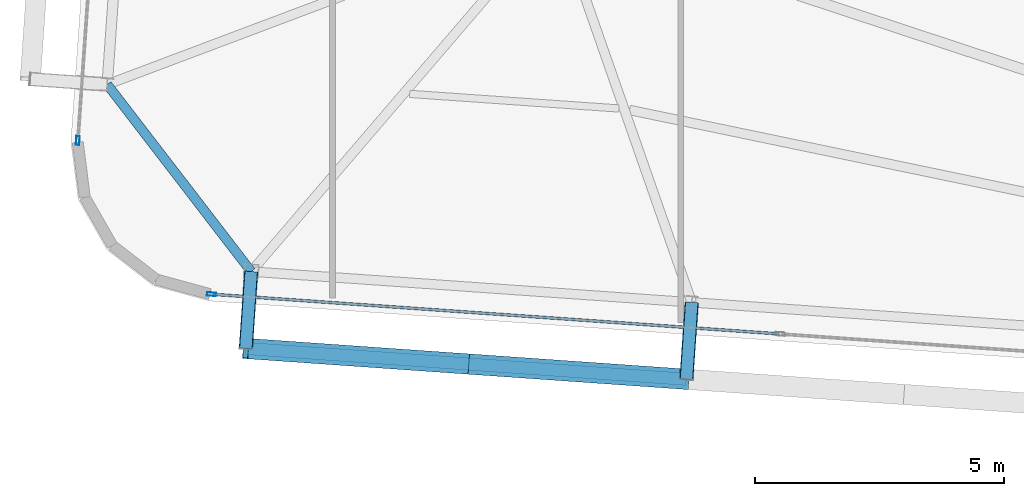
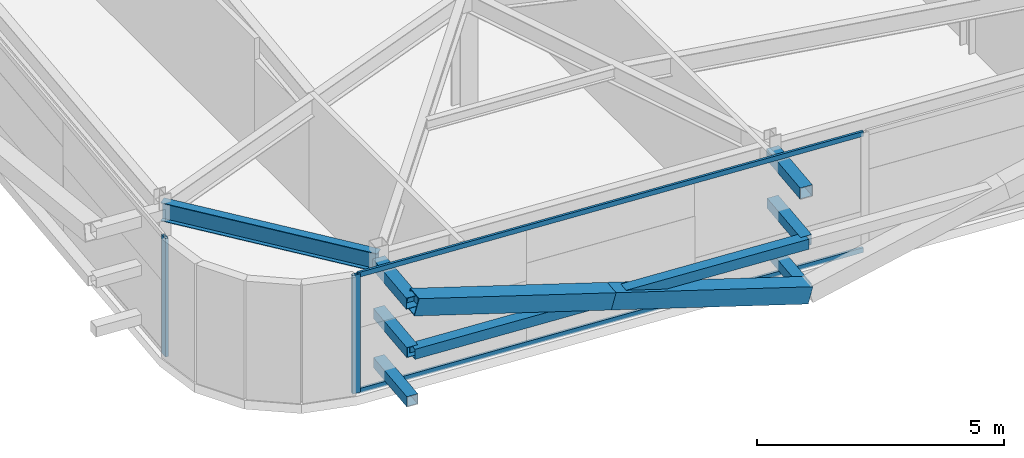
# One storey, part 6 of 39: 13 members, 1 beam, 2 elements without a shape of their own.
"""IFC4 building model written with IfcOpenShell, lengths in metres."""

from ifc_helpers import new_model, si_unit, direction, frame, origin, origin_2d, place, context, subcontext, project, spatial, hollow_rectangle, i_section, extrude, source, transform, mapped, material, layer, layer_set, material_profile, profile_set, type_object, element, aggregate, save


model = new_model("IFC4")

# Units and contexts
model_context = context("Model", 3, precision=1e-05, world=origin(), true_north=direction((0.0, 1.0)))
body_context = subcontext(model_context, "Body", "Model", "MODEL_VIEW")
ifc_project = project(units=[si_unit("LENGTHUNIT", "METRE"), si_unit("AREAUNIT", "SQUARE_METRE"), si_unit("VOLUMEUNIT", "CUBIC_METRE"), si_unit("PLANEANGLEUNIT", "RADIAN"), si_unit("MASSUNIT", "GRAM", prefix="KILO")], contexts=[model_context])

# Site, building, storey
site_placement = place(None, origin())
site = spatial("IfcSite", under=ifc_project, at=site_placement, CompositionType="ELEMENT")
building_placement = place(site_placement, origin())
building = spatial("IfcBuilding", under=site, at=building_placement, Name="Taldren Reach Tower", CompositionType="ELEMENT")
storey_placement = place(building_placement, frame((0.0, 0.0, 155.050048828125)))
storey = spatial("IfcBuildingStorey", under=building, at=storey_placement, Name="L47", CompositionType="ELEMENT", Elevation=155.050048828125)

# Members
ifc_material_1 = material(Name="Steel Gr 450 (C450L0)", Category="steel")
ifc_material_profile_1 = material_profile(ifc_material_1, hollow_rectangle(XDim=0.27490234375, YDim=0.27490234375, WallThickness=0.00927734375, at=origin_2d()), Name="275x275x9.3SHS")
ifc_profile_set_1 = profile_set([ifc_material_profile_1], Name="Steel Gr 450 (C450L0)")
member_type_1 = type_object("IfcMemberType", Name="MB-TIE273", PredefinedType="STRUT", material=ifc_profile_set_1)
shared_shape_1 = source(origin(), body_context, "Body", "SweptSolid", [
    extrude(hollow_rectangle(XDim=0.27490234375, YDim=0.27490234375, WallThickness=0.00927734375, at=origin_2d()), origin(), (0.0, 0.0, 1.0), 1.5498046875),
])
for number, where, z_axis, x_axis, name in (
    (1, (11.863525390625, 5.33837890625, 2.64990234375), (-0.069780535098, -0.997562367434, 0.0), (0.997562367434, -0.069780535098, 0.0), "Exoskeleton diaphragm tie strut B3-S1 L47"),
    (2, (20.721923828125, 4.718994140625, 2.64990234375), (-0.069780535098, -0.997562367434, 0.0), (0.997562367434, -0.069780535098, 0.0), "Exoskeleton diaphragm tie strut B3-S2 L47"),
):
    element("IfcMember", number, at=place(storey_placement, frame(where, z_axis=z_axis, x_axis=x_axis)), inside=storey, type_object=member_type_1, Name=name, PredefinedType="STRUT", context=body_context, shape_type="MappedRepresentation", body=[
        mapped(shared_shape_1, transform((0.0, 0.0, 0.0), scale=1.0)),
    ])
ifc_material_2 = material(Name="Steel Gr 350 (C350L0)", Category="steel")
ifc_material_profile_2 = material_profile(ifc_material_2, hollow_rectangle(XDim=0.25, YDim=0.25, WallThickness=0.010009765625, at=origin_2d()), Name="250x250x10.0SHS")
ifc_profile_set_2 = profile_set([ifc_material_profile_2], Name="Steel Gr 350 (C350L0)")
member_type_2 = type_object("IfcMemberType", Name="MB-POST250", PredefinedType="POST", material=ifc_profile_set_2)
shared_shape_2 = source(origin(), body_context, "Body", "SweptSolid", [
    extrude(hollow_rectangle(XDim=0.25, YDim=0.25, WallThickness=0.010009765625, at=origin_2d()), origin(), (0.0, 0.0, 1.0), 1.5498046875),
])
for number, where, z_axis, x_axis, name in (
    (3, (11.863525390625, 5.33837890625, 0.219970703125), (-0.069780535098, -0.997562367434, 0.0), (0.997562367434, -0.069780535098, 0.0), "Exoskeleton base diaphragm tie strut B3-S1 L47"),
    (4, (20.721923828125, 4.718994140625, 0.219970703125), (-0.069780535098, -0.997562367434, 0.0), (0.997562367434, -0.069780535098, 0.0), "Exoskeleton base diaphragm tie strut B3-S2 L47"),
    (5, (11.863525390625, 5.33837890625, 1.43505859375), (-0.069780535098, -0.997562367434, 0.0), (0.997562367434, -0.069780535098, 0.0), "Exoskeleton mid-tier diaphragm tie B3-S1 L47"),
    (6, (20.721923828125, 4.718994140625, 1.43505859375), (-0.069780535098, -0.997562367434, 0.0), (0.997562367434, -0.069780535098, 0.0), "Exoskeleton mid-tier diaphragm tie B3-S2 L47"),
):
    element("IfcMember", number, at=place(storey_placement, frame(where, z_axis=z_axis, x_axis=x_axis)), inside=storey, type_object=member_type_2, Name=name, PredefinedType="POST", context=body_context, shape_type="MappedRepresentation", body=[
        mapped(shared_shape_2, transform((0.0, 0.0, 0.0), scale=1.0)),
    ])

# Beam
ifc_material_3 = material(Name="Steel Gr 350 (350PLUS)", Category="steel")
ifc_material_profile_3 = material_profile(ifc_material_3, i_section(OverallWidth=0.18994140625, OverallDepth=0.4541015625, WebThickness=0.008544921875, FlangeThickness=0.0126953125, at=origin_2d()), Name="460UB67.1")
ifc_profile_set_3 = profile_set([ifc_material_profile_3], Name="Steel Gr 350 (350PLUS)")
beam_type = type_object("IfcBeamType", Name="SP-UB460B", PredefinedType="SPANDREL", material=ifc_profile_set_3)
shared_shape_3 = source(origin(), body_context, "Body", "SweptSolid", [
    extrude(i_section(OverallWidth=0.18994140625, OverallDepth=0.4541015625, WebThickness=0.008544921875, FlangeThickness=0.0126953125, at=origin_2d()), origin(), (0.0, 0.0, 1.0), 4.746337890625),
])
beam_placement = place(storey_placement, frame((8.96875, 9.099609375, 2.702880859375), z_axis=(0.609912099004, -0.792469072891, 0.0), x_axis=(0.792469072891, 0.609912099004, 0.0)))
element("IfcBeam", 7, at=beam_placement, inside=storey, type_object=beam_type, Name="Perimeter spandrel B3 W1-S1 L47", PredefinedType="SPANDREL", context=body_context, shape_type="MappedRepresentation", body=[
    mapped(shared_shape_3, transform((0.0, 0.0, 0.0), scale=1.0)),
])

# Members
shared_shape_4 = source(origin(), body_context, "Body", "SweptSolid", [
    extrude(hollow_rectangle(XDim=0.25, YDim=0.25, WallThickness=0.010009765625, at=origin_2d()), origin(), (0.0, 0.0, 1.0), 8.880126953125),
])
member_1_placement = place(storey_placement, frame((11.75537109375, 3.792236328125, 1.43505859375), z_axis=(0.997564479639, -0.069750333063, 0.0), x_axis=(0.069750333063, 0.997564479639, 0.0)))
element("IfcMember", 8, at=member_1_placement, inside=storey, type_object=member_type_2, Name="Exoskeleton mid-height ring chord B3-S1 L47", PredefinedType="POST", context=body_context, shape_type="MappedRepresentation", body=[
    mapped(shared_shape_4, transform((0.0, 0.0, 0.0), scale=1.0)),
])
ifc_material_profile_4 = material_profile(ifc_material_1, hollow_rectangle(XDim=0.409912109375, YDim=0.409912109375, WallThickness=0.01611328125, at=origin_2d()), Name="410x410x16.0SHS")
ifc_profile_set_4 = profile_set([ifc_material_profile_4], Name="Steel Gr 450 (C450L0)")
member_type_3 = type_object("IfcMemberType", Name="MB-EXO406", PredefinedType="BRACE", material=ifc_profile_set_4)
shared_shape_5 = source(origin(), body_context, "Body", "SweptSolid", [
    extrude(hollow_rectangle(XDim=0.409912109375, YDim=0.409912109375, WallThickness=0.01611328125, at=origin_2d()), origin(), (0.0, 0.0, 1.0), 4.603271484375),
])
for number, where, z_axis, x_axis, name in (
    (9, (20.61376953125, 3.1728515625, 0.219970703125), (-0.962185784239, 0.067250114343, 0.263962002434), (-0.069722973508, -0.997566392259, 0.0), "Exoskeleton Diagrid Brace B3-S1 L47"),
    (10, (16.1845703125, 3.482421875, 1.43505859375), (-0.962195820062, 0.067303852699, 0.263911718699), (-0.06977769246, -0.997562566276, 0.0), "Exoskeleton Diagrid Brace B3-S1 L47"),
):
    element("IfcMember", number, at=place(storey_placement, frame(where, z_axis=z_axis, x_axis=x_axis)), inside=storey, type_object=member_type_3, Name=name, PredefinedType="BRACE", context=body_context, shape_type="MappedRepresentation", body=[
        mapped(shared_shape_5, transform((0.0, 0.0, 0.0), scale=1.0)),
    ])

# Curtain wall, members
ifc_material_4 = material(Name="Aluminium and Low-E Glass Unitised System", Category="aluminium")
ifc_layer = layer(ifc_material_4, 0.159912109375)
ifc_layer_set = layer_set([ifc_layer], Name="Aluminium and Low-E Glass Unitised System")
curtain_wall_type = type_object("IfcCurtainWallType", Name="CW-SYS-4", PredefinedType="NOTDEFINED", material=ifc_layer_set)
curtain_wall_1_placement = place(storey_placement, origin())
curtain_wall_1 = element("IfcCurtainWall", 11, at=curtain_wall_1_placement, inside=storey, type_object=curtain_wall_type, Name="Unitised curtain wall CW-L47-S", PredefinedType="NOTDEFINED")
ifc_material_5 = material(Name="Anodised Aluminium 6063-T6", Category="aluminium")
ifc_material_profile_5 = material_profile(ifc_material_5, hollow_rectangle(XDim=0.054931640625, YDim=0.1201171875, WallThickness=0.0029296875, at=origin_2d()), Name="ALU-120x55x3RHS")
ifc_profile_set_5 = profile_set([ifc_material_profile_5], Name="Anodised Aluminium 6063-T6")
member_type_4 = type_object("IfcMemberType", Name="CW-TRN-135", PredefinedType="USERDEFINED", material=ifc_profile_set_5)
shared_shape_6 = source(origin(), body_context, "Body", "SweptSolid", [
    extrude(hollow_rectangle(XDim=0.054931640625, YDim=0.1201171875, WallThickness=0.0029296875, at=origin_2d()), origin(), (0.0, 0.0, 1.0), 11.39501953125),
])
member_2_placement = place(storey_placement, frame((11.099853515625, 4.880615234375, 0.02734375), z_axis=(0.997563740682, -0.069760900766, 0.0), x_axis=(0.069760900766, 0.997563740682, 0.0)))
member_2 = element("IfcMember", 12, at=member_2_placement, type_object=member_type_4, Name="CW-4 transom 1.1", ObjectType="TRANSOM", PredefinedType="USERDEFINED", context=body_context, shape_type="MappedRepresentation", body=[
    mapped(shared_shape_6, transform((0.0, 0.0, 0.0), scale=1.0)),
])
member_3_placement = place(storey_placement, frame((11.099853515625, 4.880615234375, 2.90234375), z_axis=(0.997563740682, -0.069760900766, 0.0), x_axis=(0.069760900766, 0.997563740682, 0.0)))
member_3 = element("IfcMember", 13, at=member_3_placement, type_object=member_type_4, Name="CW-4 transom 1.2", ObjectType="TRANSOM", PredefinedType="USERDEFINED", context=body_context, shape_type="MappedRepresentation", body=[
    mapped(shared_shape_6, transform((0.0, 0.0, 0.0), scale=1.0)),
])
ifc_material_profile_6 = material_profile(ifc_material_5, hollow_rectangle(XDim=0.070068359375, YDim=0.179931640625, WallThickness=0.00390625, at=origin_2d()), Name="ALU-180x70x4RHS")
ifc_profile_set_6 = profile_set([ifc_material_profile_6], Name="Anodised Aluminium 6063-T6")
member_type_5 = type_object("IfcMemberType", Name="CW-MUL-180", PredefinedType="MULLION", material=ifc_profile_set_6)
shared_shape_7 = source(origin(), body_context, "Body", "SweptSolid", [
    extrude(hollow_rectangle(XDim=0.070068359375, YDim=0.179931640625, WallThickness=0.00390625, at=origin_2d()), origin(), (0.0, 0.0, 1.0), 2.929931640625),
])
member_4_placement = place(storey_placement, frame((11.06494140625, 4.883056640625, 0.0), z_axis=(0.0, 0.0, 1.0), x_axis=(0.06975651593, 0.99756404731, 0.0)))
member_4 = element("IfcMember", 14, at=member_4_placement, type_object=member_type_5, Name="CW-4 mullion 1", PredefinedType="MULLION", context=body_context, shape_type="MappedRepresentation", body=[
    mapped(shared_shape_7, transform((0.0, 0.0, 0.0), scale=1.0)),
])
aggregate(curtain_wall_1, [member_4, member_2, member_3])

# Curtain wall, member
curtain_wall_2_placement = place(storey_placement, origin())
curtain_wall_2 = element("IfcCurtainWall", 15, at=curtain_wall_2_placement, inside=storey, type_object=curtain_wall_type, Name="Unitised curtain wall CW-L47-W", PredefinedType="NOTDEFINED")
member_5_placement = place(storey_placement, frame((8.37890625, 7.972900390625, 0.0), z_axis=(0.0, 0.0, 1.0), x_axis=(0.997564052812, -0.069756437251, 0.0)))
member_5 = element("IfcMember", 16, at=member_5_placement, type_object=member_type_5, Name="CW-4 mullion 3", PredefinedType="MULLION", context=body_context, shape_type="MappedRepresentation", body=[
    mapped(shared_shape_7, transform((0.0, 0.0, 0.0), scale=1.0)),
])
aggregate(curtain_wall_2, [member_5])

save(model, "model.ifc")
